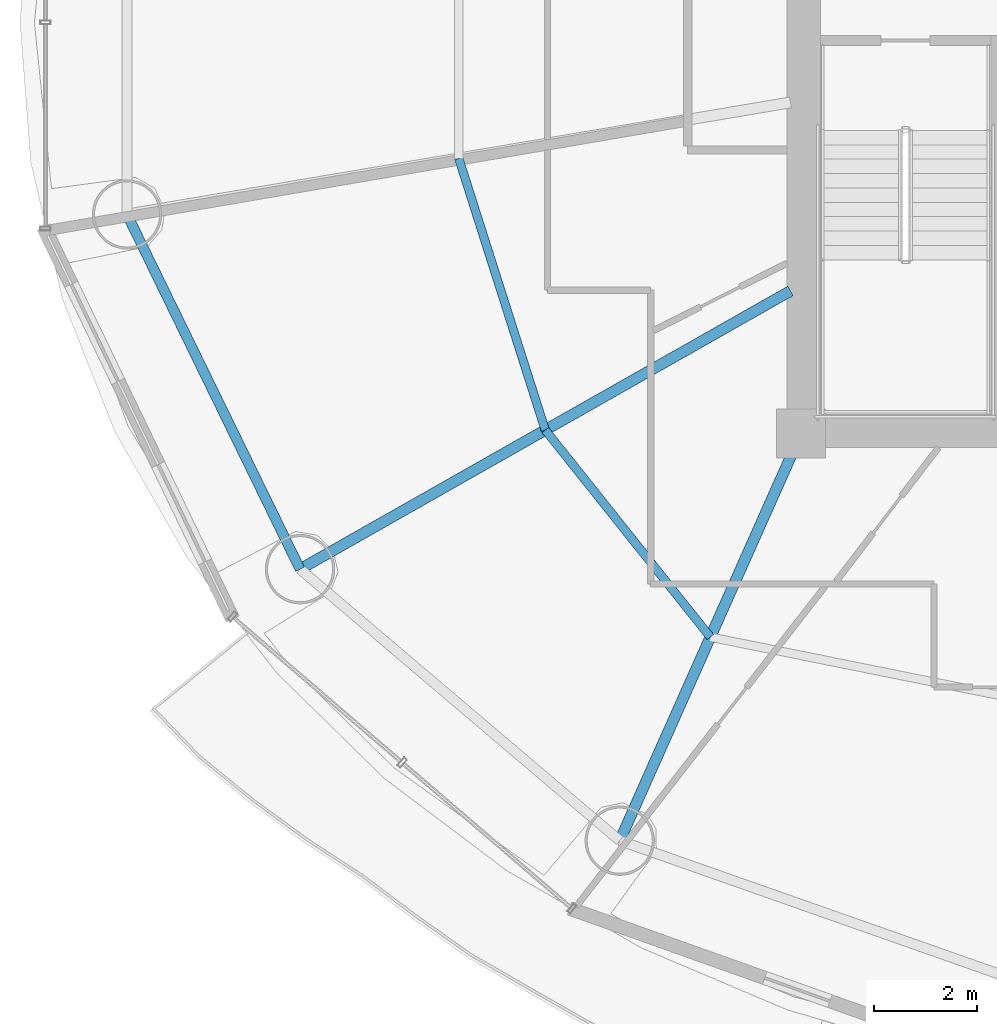
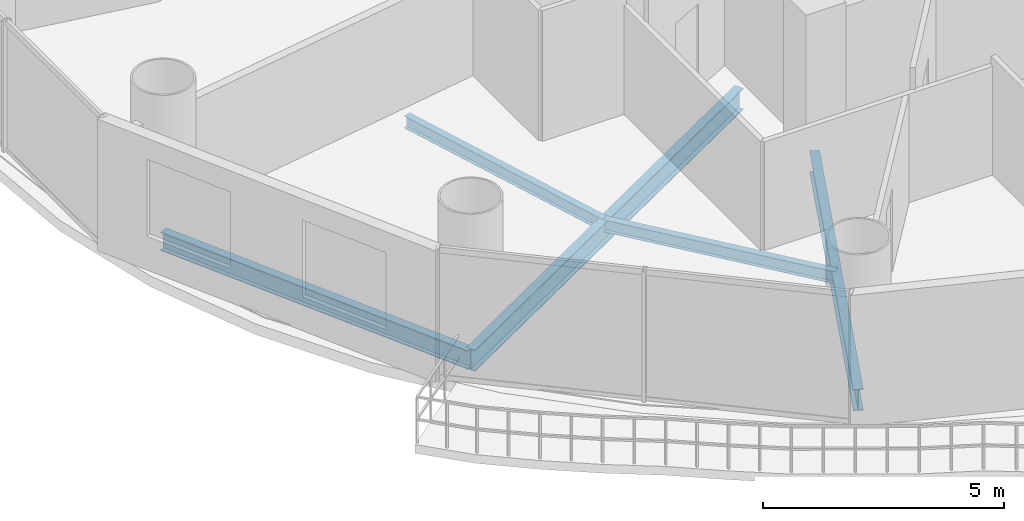
# One storey, part 3 of 26: 5 beams.
"""IFC4 building model written with IfcOpenShell, lengths in metres."""

from ifc_helpers import new_model, si_unit, direction, frame, origin, origin_2d, place, context, subcontext, project, spatial, i_section, extrude, material, material_profile, profile_set, type_object, element, save


model = new_model("IFC4")

# Units and contexts
model_context = context("Model", 3, precision=1e-05, world=origin(), true_north=direction((-0.2419218956, 0.970295726276)))
body_context = subcontext(model_context, "Body", "Model", "MODEL_VIEW")
ifc_project = project(units=[si_unit("LENGTHUNIT", "METRE"), si_unit("AREAUNIT", "SQUARE_METRE"), si_unit("VOLUMEUNIT", "CUBIC_METRE"), si_unit("PLANEANGLEUNIT", "RADIAN"), si_unit("MASSUNIT", "GRAM", prefix="KILO")], contexts=[model_context])

# Site, building, storey
site_placement = place(None, origin())
site = spatial("IfcSite", under=ifc_project, at=site_placement, CompositionType="ELEMENT")
building_placement = place(site_placement, origin())
building = spatial("IfcBuilding", under=site, at=building_placement, Name="Cobrevalo Terracotta Tower", CompositionType="ELEMENT")
storey_placement = place(building_placement, frame((0.0, 0.0, 142.60009765625)))
storey = spatial("IfcBuildingStorey", under=building, at=storey_placement, Name="L37", CompositionType="ELEMENT", Elevation=142.60009765625)

# Beams
ifc_material = material(Name="Steel S355", Category="steel")
ifc_material_profile_1 = material_profile(ifc_material, i_section(OverallWidth=0.2109375, OverallDepth=0.5390625, WebThickness=0.01171875, FlangeThickness=0.018798828125, at=origin_2d()), Name="W 530x109")
ifc_profile_set_1 = profile_set([ifc_material_profile_1], Name="Steel S355")
beam_type_1 = type_object("IfcBeamType", Name="Structural Beam W 530x109 (Steel S355)", PredefinedType="BEAM", material=ifc_profile_set_1)
beam_1_placement = place(storey_placement, frame((19.250244140625, 16.160888671875, -0.53955078125), z_axis=(0.869743726706, 0.493503647257, 0.0), x_axis=(-0.493503647257, 0.869743726706, 0.0)))
element("IfcBeam", 1, at=beam_1_placement, inside=storey, type_object=beam_type_1, Name="L37 radial floor girder 10", PredefinedType="BEAM", context=body_context, shape_type="SweptSolid", body=[
    extrude(i_section(OverallWidth=0.2109375, OverallDepth=0.5390625, WebThickness=0.01171875, FlangeThickness=0.018798828125, at=origin_2d()), origin(), (0.0, 0.0, 1.0), 10.97412109375),
])
beam_2_placement = place(storey_placement, frame((25.471923828125, 10.87744140625, -0.53955078125), z_axis=(0.406804395691, 0.913515289224, 0.0), x_axis=(-0.913515289224, 0.406804395691, 0.0)))
element("IfcBeam", 2, at=beam_2_placement, inside=storey, type_object=beam_type_1, Name="L37 radial floor girder 11", PredefinedType="BEAM", context=body_context, shape_type="SweptSolid", body=[
    extrude(i_section(OverallWidth=0.2109375, OverallDepth=0.5390625, WebThickness=0.01171875, FlangeThickness=0.018798828125, at=origin_2d()), origin(), (0.0, 0.0, 1.0), 8.672607421875),
])
ifc_material_profile_2 = material_profile(ifc_material, i_section(OverallWidth=0.1650390625, OverallDepth=0.31005859375, WebThickness=0.005859375, FlangeThickness=0.009765625, at=origin_2d()), Name="W 310x38.7")
ifc_profile_set_2 = profile_set([ifc_material_profile_2], Name="Steel S355")
beam_type_2 = type_object("IfcBeamType", Name="Structural Joist W 310x38.7 (Steel S355)", PredefinedType="JOIST", material=ifc_profile_set_2)
beam_3_placement = place(storey_placement, frame((22.339111328125, 24.154541015625, -0.425048828125), z_axis=(0.303497928386, -0.952832098255, 0.0), x_axis=(0.952832098255, 0.303497928386, 0.0)))
element("IfcBeam", 3, at=beam_3_placement, inside=storey, type_object=beam_type_2, Name="L37 circumferential secondary floor joist 09", PredefinedType="JOIST", context=body_context, shape_type="SweptSolid", body=[
    extrude(i_section(OverallWidth=0.1650390625, OverallDepth=0.31005859375, WebThickness=0.005859375, FlangeThickness=0.009765625, at=origin_2d()), origin(), (0.0, 0.0, 1.0), 5.54736328125),
])
beam_4_placement = place(storey_placement, frame((24.022705078125, 18.868896484375, -0.425048828125), z_axis=(0.623382939397, -0.781916690492, 0.0), x_axis=(0.781916690492, 0.623382939397, 0.0)))
element("IfcBeam", 4, at=beam_4_placement, inside=storey, type_object=beam_type_2, Name="L37 circumferential secondary floor joist 10", PredefinedType="JOIST", context=body_context, shape_type="SweptSolid", body=[
    extrude(i_section(OverallWidth=0.1650390625, OverallDepth=0.31005859375, WebThickness=0.005859375, FlangeThickness=0.009765625, at=origin_2d()), origin(), (0.0, 0.0, 1.0), 5.154296875),
])
ifc_material_profile_3 = material_profile(ifc_material, i_section(OverallWidth=0.194091796875, OverallDepth=0.468994140625, WebThickness=0.011474609375, FlangeThickness=0.0205078125, at=origin_2d()), Name="W 460x106")
ifc_profile_set_3 = profile_set([ifc_material_profile_3], Name="Steel S355")
beam_type_3 = type_object("IfcBeamType", Name="Structural Spandrel W 460x106 (Steel S355)", PredefinedType="SPANDREL", material=ifc_profile_set_3)
beam_5_placement = place(storey_placement, frame((15.88330078125, 23.06396484375, -0.504638671875), z_axis=(0.438380418332, -0.898789524206, 0.0), x_axis=(0.898789524206, 0.438380418332, 0.0)))
element("IfcBeam", 5, at=beam_5_placement, inside=storey, type_object=beam_type_3, Name="L37 perimeter ring spandrel 09", PredefinedType="SPANDREL", context=body_context, shape_type="SweptSolid", body=[
    extrude(i_section(OverallWidth=0.194091796875, OverallDepth=0.468994140625, WebThickness=0.011474609375, FlangeThickness=0.0205078125, at=origin_2d()), origin(), (0.0, 0.0, 1.0), 7.680419921875),
])

save(model, "model.ifc")
